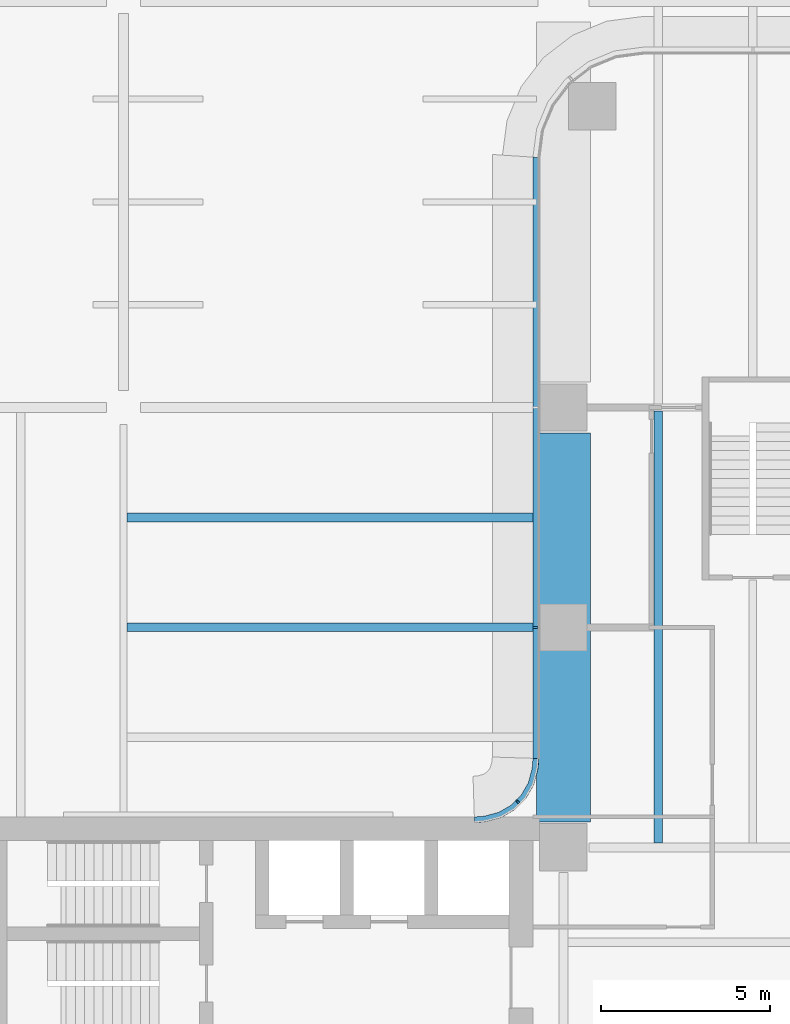
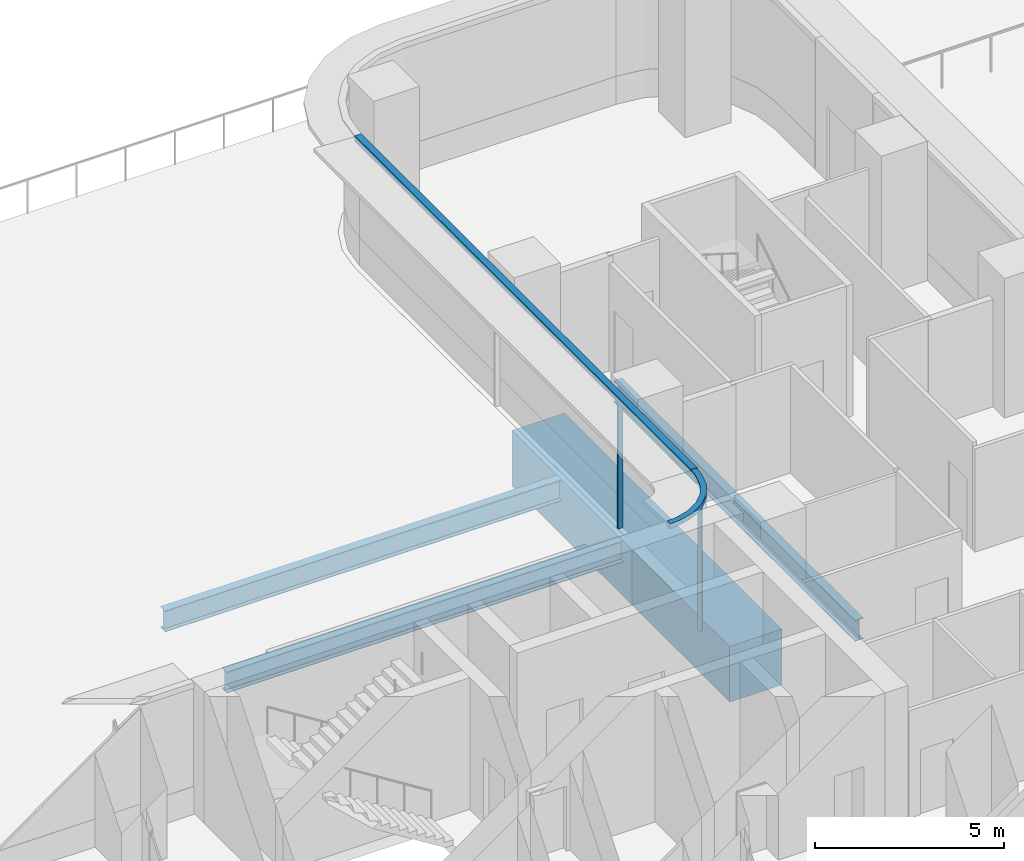
# One storey, part 11 of 29: 4 beams, 4 members, 2 elements without a shape of their own.
"""IFC4 building model written with IfcOpenShell, lengths in metres."""

from ifc_helpers import new_model, si_unit, direction, frame, origin, origin_2d, place, context, subcontext, project, spatial, polyline, rectangle, i_section, outline, extrude, source, transform, mapped, material, layer, layer_set, material_profile, profile_set, type_object, element, aggregate, save


model = new_model("IFC4")

# Units and contexts
model_context = context("Model", 3, precision=1e-05, world=origin(), true_north=direction((0.0, 1.0)))
body_context = subcontext(model_context, "Body", "Model", "MODEL_VIEW")
ifc_project = project(units=[si_unit("LENGTHUNIT", "METRE"), si_unit("AREAUNIT", "SQUARE_METRE"), si_unit("VOLUMEUNIT", "CUBIC_METRE"), si_unit("PLANEANGLEUNIT", "RADIAN"), si_unit("MASSUNIT", "GRAM", prefix="KILO")], contexts=[model_context])

# Site, building, storey
site_placement = place(None, origin())
site = spatial("IfcSite", under=ifc_project, at=site_placement, CompositionType="ELEMENT")
building_placement = place(site_placement, origin())
building = spatial("IfcBuilding", under=site, at=building_placement, Name="Trellis Farm Tower", CompositionType="ELEMENT")
storey_placement = place(building_placement, frame((0.0, 0.0, 34.0)))
storey = spatial("IfcBuildingStorey", under=building, at=storey_placement, Name="L06", CompositionType="ELEMENT", Elevation=34.0)

# Beams
ifc_material_1 = material(Name="Steel S355", Category="steel")
ifc_material_profile_1 = material_profile(ifc_material_1, i_section(OverallWidth=0.253662109375, OverallDepth=0.68359375, WebThickness=0.012451171875, FlangeThickness=0.021728515625, FilletRadius=0.01513671875, at=origin_2d()), Name="UB 686x254x140")
ifc_profile_set_1 = profile_set([ifc_material_profile_1], Name="Steel S355")
beam_type_1 = type_object("IfcBeamType", Name="UB 686x254x140 joist", PredefinedType="JOIST", material=ifc_profile_set_1)
shared_shape_1 = source(origin(), body_context, "Body", "SweptSolid", [
    extrude(i_section(OverallWidth=0.253662109375, OverallDepth=0.68359375, WebThickness=0.012451171875, FlangeThickness=0.021728515625, FilletRadius=0.01513671875, at=origin_2d()), origin(), (0.0, 0.0, 1.0), 12.761962890625),
])
beam_1_placement = place(storey_placement, frame((-2.800048828125, 5.7333984375, -0.691650390625), z_axis=(0.0, 1.0, 0.0), x_axis=(-1.0, 0.0, 0.0)))
element("IfcBeam", 1, at=beam_1_placement, inside=storey, type_object=beam_type_1, Name="Floor beam", PredefinedType="JOIST", context=body_context, shape_type="MappedRepresentation", body=[
    mapped(shared_shape_1, transform((0.0, 0.0, 0.0))),
])
ifc_material_2 = material(Name="Concrete C80/95", Category="concrete")
ifc_material_profile_2 = material_profile(ifc_material_2, rectangle(XDim=1.60009765625, YDim=1.800048828125, at=origin_2d()), Name="RC transfer beam 1600x1800 C80/95")
ifc_profile_set_2 = profile_set([ifc_material_profile_2], Name="Concrete C80/95")
beam_type_2 = type_object("IfcBeamType", Name="RC transfer beam 1600x1800 C80/95", PredefinedType="BEAM", material=ifc_profile_set_2)
shared_shape_2 = source(origin(), body_context, "Body", "SweptSolid", [
    extrude(rectangle(XDim=1.60009765625, YDim=1.800048828125, at=origin_2d()), origin(), (0.0, 0.0, 1.0), 11.5),
])
beam_2_placement = place(storey_placement, frame((-5.60009765625, 6.35009765625, -1.25), z_axis=(0.0, 1.0, 0.0), x_axis=(-1.0, 0.0, 0.0)))
element("IfcBeam", 2, at=beam_2_placement, inside=storey, type_object=beam_type_2, Name="Transfer girder", PredefinedType="BEAM", context=body_context, shape_type="MappedRepresentation", body=[
    mapped(shared_shape_2, transform((0.0, 0.0, 0.0))),
])
shared_shape_3 = source(origin(), body_context, "Body", "SweptSolid", [
    extrude(i_section(OverallWidth=0.253662109375, OverallDepth=0.68359375, WebThickness=0.012451171875, FlangeThickness=0.021728515625, FilletRadius=0.01513671875, at=origin_2d()), origin(), (0.0, 0.0, 1.0), 12.095458984375),
])
for number, where, z_axis, x_axis, name in (
    (3, (-18.495361328125, 12.10009765625, -0.691650390625), (1.0, 0.0, 0.0), (0.0, 1.0, 0.0), "Floor beam"),
    (4, (-18.495361328125, 15.35009765625, -0.691650390625), (1.0, 0.0, 0.0), (0.0, 1.0, 0.0), "Floor beam"),
):
    element("IfcBeam", number, at=place(storey_placement, frame(where, z_axis=z_axis, x_axis=x_axis)), inside=storey, type_object=beam_type_1, Name=name, PredefinedType="JOIST", context=body_context, shape_type="MappedRepresentation", body=[
        mapped(shared_shape_3, transform((0.0, 0.0, 0.0))),
    ])

# Curtain wall, member
ifc_material_3 = material(Name="Aluminium and glass curtain wall", Category="aluminium")
ifc_layer_1 = layer(ifc_material_3, 0.18994140625)
ifc_layer_set_1 = layer_set([ifc_layer_1], Name="RIBBON CURTAIN WALL CW1")
curtain_wall_type_1 = type_object("IfcCurtainWallType", Name="RIBBON CURTAIN WALL CW1", PredefinedType="NOTDEFINED", material=ifc_layer_set_1)
placement = place(storey_placement, origin())
curtain_wall_1 = element("IfcCurtainWall", 5, at=placement, inside=storey, type_object=curtain_wall_type_1, Name="CW1 013", PredefinedType="NOTDEFINED")
ifc_material_4 = material(Name="Aluminium extrusion 6063-T6", Category="aluminium")
ifc_material_profile_3 = material_profile(ifc_material_4, rectangle(XDim=0.06005859375, YDim=0.14990234375, at=origin_2d()), Name="MULLION 60x150")
ifc_profile_set_3 = profile_set([ifc_material_profile_3], Name="Aluminium extrusion 6063-T6")
member_type_1 = type_object("IfcMemberType", Name="CW1 MULLION 60x150", PredefinedType="MULLION", material=ifc_profile_set_3)
shared_shape_4 = source(origin(), body_context, "Body", "SweptSolid", [
    extrude(rectangle(XDim=0.06005859375, YDim=0.14990234375, at=origin_2d()), origin(), (0.0, 0.0, 1.0), 4.070068359375),
])
member_1_placement = place(storey_placement, frame((-6.425048828125, 12.10009765625, 0.0), z_axis=(0.0, 0.0, 1.0), x_axis=(0.0, -1.0, 0.0)))
member_1 = element("IfcMember", 6, at=member_1_placement, type_object=member_type_1, Name="MU1 013-02", PredefinedType="MULLION", context=body_context, shape_type="MappedRepresentation", body=[
    mapped(shared_shape_4, transform((0.0, 0.0, 0.0))),
])

ifc_layer_2 = layer(ifc_material_3, 0.166015625)
ifc_layer_set_2 = layer_set([ifc_layer_2], Name="WINTER GARDEN CURTAIN WALL CW3")
curtain_wall_type_2 = type_object("IfcCurtainWallType", Name="WINTER GARDEN CURTAIN WALL CW3", PredefinedType="NOTDEFINED", material=ifc_layer_set_2)
curtain_wall_2 = element("IfcCurtainWall", 7, at=placement, inside=storey, type_object=curtain_wall_type_2, Name="CW3 004", PredefinedType="NOTDEFINED")
ifc_material_profile_4 = material_profile(ifc_material_4, rectangle(XDim=0.050048828125, YDim=0.1201171875, at=origin_2d()), Name="MULLION 50x120")
ifc_profile_set_4 = profile_set([ifc_material_profile_4], Name="Aluminium extrusion 6063-T6")
member_type_2 = type_object("IfcMemberType", Name="CW3 MULLION 50x120", PredefinedType="MULLION", material=ifc_profile_set_4)
shared_shape_5 = source(origin(), body_context, "Body", "SweptSolid", [
    extrude(rectangle(XDim=0.050048828125, YDim=0.1201171875, at=origin_2d()), origin(), (0.0, 0.0, 1.0), 4.10009765625),
])
member_2_placement = place(storey_placement, frame((-6.953125, 6.953125, 0.0), z_axis=(0.0, 0.0, 1.0), x_axis=(-0.707106781187, -0.707106781187, 0.0)))
member_2 = element("IfcMember", 8, at=member_2_placement, type_object=member_type_2, Name="MU3 004-01", PredefinedType="MULLION", context=body_context, shape_type="MappedRepresentation", body=[
    mapped(shared_shape_5, transform((0.0, 0.0, 0.0))),
])

# Member
ifc_layer_3 = layer(ifc_material_4, 0.199951171875)
ifc_layer_set_3 = layer_set([ifc_layer_3], Name="Aluminium extrusion 6063-T6")
member_type_3 = type_object("IfcMemberType", Name="CW1 TRANSOM 200x180", PredefinedType="USERDEFINED", material=ifc_layer_set_3)
shared_shape_6 = source(origin(), body_context, "Body", "SweptSolid", [
    extrude(outline(polyline([(-6.5, 26.0), (-6.5, 8.2314453125), (-6.300048828125, 8.224853515625), (-6.300048828125, 25.98681640625), (-6.5, 26.0)])), origin(), (0.0, 0.0, 1.0), 0.179931640625),
])
member_3_placement = place(storey_placement, frame((0.0, 0.0, 4.070068359375)))
member_3 = element("IfcMember", 9, at=member_3_placement, type_object=member_type_3, Name="TR1 013", ObjectType="TRANSOM", PredefinedType="USERDEFINED", context=body_context, shape_type="MappedRepresentation", body=[
    mapped(shared_shape_6, transform((0.0, 0.0, 0.0))),
])

aggregate(curtain_wall_1, [member_1, member_3])

ifc_layer_4 = layer(ifc_material_4, 0.169921875)
ifc_layer_set_4 = layer_set([ifc_layer_4], Name="Aluminium extrusion 6063-T6")
member_type_4 = type_object("IfcMemberType", Name="CW3 TRANSOM 170x150", PredefinedType="USERDEFINED", material=ifc_layer_set_4)
shared_shape_7 = source(origin(), body_context, "Body", "SweptSolid", [
    extrude(outline(polyline([(-6.5, 8.2314453125), (-6.513916015625, 8.01953125), (-6.527587890625, 7.91552734375), (-6.63671875, 7.508544921875), (-6.846923828125, 7.144287109375), (-7.144287109375, 6.846923828125), (-7.508544921875, 6.63671875), (-7.91552734375, 6.527587890625), (-8.01953125, 6.513916015625), (-8.2314453125, 6.5), (-8.225830078125, 6.330078125), (-8.0029296875, 6.3447265625), (-7.88232421875, 6.360595703125), (-7.44287109375, 6.478271484375), (-7.0400390625, 6.7109375), (-6.7109375, 7.0400390625), (-6.478271484375, 7.44287109375), (-6.360595703125, 7.88232421875), (-6.3447265625, 8.0029296875), (-6.330078125, 8.225830078125), (-6.5, 8.2314453125)])), origin(), (0.0, 0.0, 1.0), 0.14990234375),
])
member_4_placement = place(storey_placement, frame((0.0, 0.0, 4.10009765625)))
member_4 = element("IfcMember", 10, at=member_4_placement, type_object=member_type_4, Name="TR3 004", ObjectType="TRANSOM", PredefinedType="USERDEFINED", context=body_context, shape_type="MappedRepresentation", body=[
    mapped(shared_shape_7, transform((0.0, 0.0, 0.0))),
])

aggregate(curtain_wall_2, [member_2, member_4])

save(model, "model.ifc")
